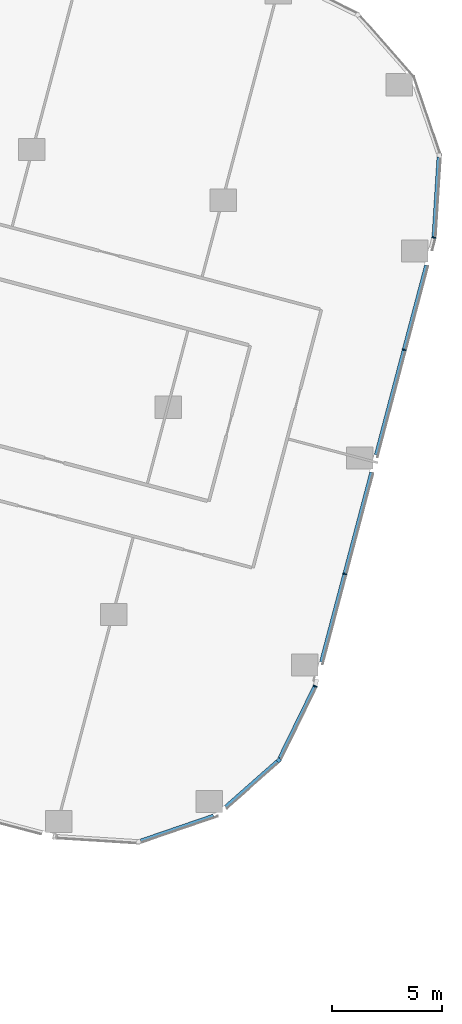
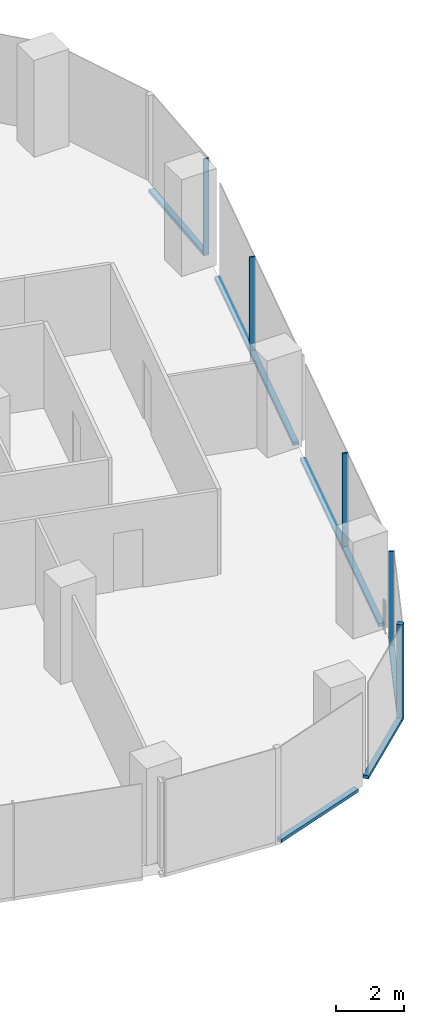
# One storey, part 10 of 34: 11 members, 5 elements without a shape of their own.
"""IFC4 building model written with IfcOpenShell, lengths in metres."""

from ifc_helpers import new_model, si_unit, direction, frame, origin, origin_2d, place, context, subcontext, project, spatial, rectangle, extrude, material, material_profile, profile_set, type_object, element, aggregate, save


model = new_model("IFC4")

# Units and contexts
model_context = context("Model", 3, precision=1e-05, world=origin(), true_north=direction((0.0, 1.0)))
body_context = subcontext(model_context, "Body", "Model", "MODEL_VIEW")
ifc_project = project(units=[si_unit("LENGTHUNIT", "METRE"), si_unit("AREAUNIT", "SQUARE_METRE"), si_unit("VOLUMEUNIT", "CUBIC_METRE"), si_unit("PLANEANGLEUNIT", "RADIAN"), si_unit("MASSUNIT", "GRAM", prefix="KILO")], contexts=[model_context])

# Site, building, storey
site_placement = place(None, origin())
site = spatial("IfcSite", under=ifc_project, at=site_placement, CompositionType="ELEMENT")
building_placement = place(site_placement, origin())
building = spatial("IfcBuilding", under=site, at=building_placement, Name="Orlundy Tower", CompositionType="ELEMENT")
storey_placement = place(building_placement, frame((0.0, 0.0, 105.699951171875)))
storey = spatial("IfcBuildingStorey", under=building, at=storey_placement, Name="L26", CompositionType="ELEMENT", Elevation=105.699951171875)

# Curtain wall, member
ifc_material_1 = material(Name="Aluminium bronze anodised", Category="aluminium")
curtain_wall_type = type_object("IfcCurtainWallType", Name="CW1 wall", PredefinedType="NOTDEFINED", material=ifc_material_1)
curtain_wall_1_placement = place(storey_placement, origin())
curtain_wall_1 = element("IfcCurtainWall", 1, at=curtain_wall_1_placement, inside=storey, type_object=curtain_wall_type, Name="CW1 run 025", PredefinedType="NOTDEFINED")
ifc_material_2 = material(Name="Aluminium bronze anodised", Category="aluminium")
ifc_material_profile_1 = material_profile(ifc_material_2, rectangle(XDim=0.179931640625, YDim=0.179931640625, at=origin_2d()), Name="CW1 corner post 180x180")
ifc_profile_set_1 = profile_set([ifc_material_profile_1], Name="Aluminium bronze anodised")
member_type_1 = type_object("IfcMemberType", Name="CW1 corner post 180x180", PredefinedType="MULLION", material=ifc_profile_set_1)
member_1_placement = place(storey_placement, frame((54.239013671875, -29.023681640625, -0.39990234375), z_axis=(0.0, 0.0, 1.0), x_axis=(0.661478866824, -0.749963804957, 0.0)))
member_1 = element("IfcMember", 2, at=member_1_placement, type_object=member_type_1, Name="CW1 mullion 66", PredefinedType="MULLION", context=body_context, shape_type="SweptSolid", body=[
    extrude(rectangle(XDim=0.179931640625, YDim=0.179931640625, at=origin_2d()), origin(), (0.0, 0.0, 1.0), 3.5),
])

# Curtain wall, members
curtain_wall_2_placement = place(storey_placement, origin())
curtain_wall_2 = element("IfcCurtainWall", 3, at=curtain_wall_2_placement, inside=storey, type_object=curtain_wall_type, Name="CW1 run 023", PredefinedType="NOTDEFINED")
ifc_material_3 = material(Name="Aluminium bronze anodised", Category="aluminium")
ifc_material_profile_2 = material_profile(ifc_material_3, rectangle(XDim=0.179931640625, YDim=0.050048828125, at=origin_2d()), Name="CW1 mullion 50x180")
ifc_profile_set_2 = profile_set([ifc_material_profile_2], Name="Aluminium bronze anodised")
member_type_2 = type_object("IfcMemberType", Name="CW1 mullion 50x180", PredefinedType="MULLION", material=ifc_profile_set_2)
member_2_placement = place(storey_placement, frame((61.26123046875, -5.3525390625, -0.39990234375), z_axis=(0.0, 0.0, 1.0), x_axis=(0.987106713631, -0.160063537088, 0.0)))
member_2 = element("IfcMember", 4, at=member_2_placement, type_object=member_type_2, Name="CW1 mullion 61", PredefinedType="MULLION", context=body_context, shape_type="SweptSolid", body=[
    extrude(rectangle(XDim=0.179931640625, YDim=0.050048828125, at=origin_2d()), origin(), (0.0, 0.0, 1.0), 3.5),
])
member_3_placement = place(storey_placement, frame((59.9150390625, -10.436279296875, -0.39990234375), z_axis=(0.0, 0.0, 1.0), x_axis=(0.966679239296, -0.255990719194, 0.0)))
member_3 = element("IfcMember", 5, at=member_3_placement, type_object=member_type_2, Name="CW1 mullion 62", PredefinedType="MULLION", context=body_context, shape_type="SweptSolid", body=[
    extrude(rectangle(XDim=0.179931640625, YDim=0.050048828125, at=origin_2d()), origin(), (0.0, 0.0, 1.0), 3.5),
])
member_4_placement = place(storey_placement, frame((57.22705078125, -20.586669921875, -0.39990234375), z_axis=(0.0, 0.0, 1.0), x_axis=(0.966679239296, -0.255990719194, 0.0)))
member_4 = element("IfcMember", 6, at=member_4_placement, type_object=member_type_2, Name="CW1 mullion 64", PredefinedType="MULLION", context=body_context, shape_type="SweptSolid", body=[
    extrude(rectangle(XDim=0.179931640625, YDim=0.050048828125, at=origin_2d()), origin(), (0.0, 0.0, 1.0), 3.5),
])

# Curtain wall, member
curtain_wall_3_placement = place(storey_placement, origin())
curtain_wall_3 = element("IfcCurtainWall", 7, at=curtain_wall_3_placement, inside=storey, type_object=curtain_wall_type, Name="CW1 run 024", PredefinedType="NOTDEFINED")
member_5_placement = place(storey_placement, frame((55.880615234375, -25.670654296875, -0.39990234375), z_axis=(0.0, 0.0, 1.0), x_axis=(0.936915365635, -0.349556286795, 0.0)))
member_5 = element("IfcMember", 8, at=member_5_placement, type_object=member_type_2, Name="CW1 mullion 65", PredefinedType="MULLION", context=body_context, shape_type="SweptSolid", body=[
    extrude(rectangle(XDim=0.179931640625, YDim=0.050048828125, at=origin_2d()), origin(), (0.0, 0.0, 1.0), 3.5),
])

curtain_wall_4_placement = place(storey_placement, origin())
curtain_wall_4 = element("IfcCurtainWall", 9, at=curtain_wall_4_placement, inside=storey, type_object=curtain_wall_type, Name="CW1 run 022", PredefinedType="NOTDEFINED")
ifc_material_4 = material(Name="Aluminium bronze anodised", Category="aluminium")
ifc_material_profile_3 = material_profile(ifc_material_4, rectangle(XDim=0.179931640625, YDim=0.1201171875, at=origin_2d()), Name="CW1 transom 180x120")
ifc_profile_set_3 = profile_set([ifc_material_profile_3], Name="Aluminium bronze anodised")
member_type_3 = type_object("IfcMemberType", Name="CW1 transom 180x120", PredefinedType="USERDEFINED", material=ifc_profile_set_3)
member_6_placement = place(storey_placement, frame((61.4892578125, -1.716552734375, -0.33984375), z_axis=(-0.06255473312, -0.998041534889, 0.0), x_axis=(0.998041534889, -0.06255473312, 0.0)))
member_6 = element("IfcMember", 10, at=member_6_placement, type_object=member_type_3, Name="CW1 transom", ObjectType="TRANSOM", PredefinedType="USERDEFINED", context=body_context, shape_type="SweptSolid", body=[
    extrude(rectangle(XDim=0.179931640625, YDim=0.1201171875, at=origin_2d()), origin(), (0.0, 0.0, 1.0), 3.617919921875),
])
aggregate(curtain_wall_4, [member_6])

# Member
member_7_placement = place(storey_placement, frame((60.9287109375, -6.60791015625, -0.33984375), z_axis=(-0.255977891732, -0.966682636104, 0.0), x_axis=(0.966682636104, -0.255977891732, 0.0)))
member_7 = element("IfcMember", 11, at=member_7_placement, type_object=member_type_3, Name="CW1 transom", ObjectType="TRANSOM", PredefinedType="USERDEFINED", context=body_context, shape_type="SweptSolid", body=[
    extrude(rectangle(XDim=0.179931640625, YDim=0.1201171875, at=origin_2d()), origin(), (0.0, 0.0, 1.0), 8.88623046875),
])

member_8_placement = place(storey_placement, frame((58.445556640625, -15.985107421875, -0.33984375), z_axis=(-0.255998288783, -0.966677234727, 0.0), x_axis=(0.966677234727, -0.255998288783, 0.0)))
member_8 = element("IfcMember", 12, at=member_8_placement, type_object=member_type_3, Name="CW1 transom", ObjectType="TRANSOM", PredefinedType="USERDEFINED", context=body_context, shape_type="SweptSolid", body=[
    extrude(rectangle(XDim=0.179931640625, YDim=0.1201171875, at=origin_2d()), origin(), (0.0, 0.0, 1.0), 8.885498046875),
])

aggregate(curtain_wall_2, [member_2, member_3, member_4, member_7, member_8])

member_9_placement = place(storey_placement, frame((55.86962890625, -25.693115234375, -0.33984375), z_axis=(-0.439733905011, -0.898128104885, 0.0), x_axis=(0.898128104885, -0.439733905011, 0.0)))
member_9 = element("IfcMember", 13, at=member_9_placement, type_object=member_type_3, Name="CW1 transom", ObjectType="TRANSOM", PredefinedType="USERDEFINED", context=body_context, shape_type="SweptSolid", body=[
    extrude(rectangle(XDim=0.179931640625, YDim=0.1201171875, at=origin_2d()), origin(), (0.0, 0.0, 1.0), 3.611083984375),
])

aggregate(curtain_wall_3, [member_5, member_9])

member_10_placement = place(storey_placement, frame((54.17138671875, -29.083251953125, -0.33984375), z_axis=(-0.749959050318, -0.661484257444, 0.0), x_axis=(0.661484257444, -0.749959050318, 0.0)))
member_10 = element("IfcMember", 14, at=member_10_placement, type_object=member_type_3, Name="CW1 transom", ObjectType="TRANSOM", PredefinedType="USERDEFINED", context=body_context, shape_type="SweptSolid", body=[
    extrude(rectangle(XDim=0.179931640625, YDim=0.1201171875, at=origin_2d()), origin(), (0.0, 0.0, 1.0), 3.115478515625),
])

aggregate(curtain_wall_1, [member_1, member_10])

# Curtain wall, member
curtain_wall_5_placement = place(storey_placement, origin())
curtain_wall_5 = element("IfcCurtainWall", 15, at=curtain_wall_5_placement, inside=storey, type_object=curtain_wall_type, Name="CW1 run 026", PredefinedType="NOTDEFINED")
member_11_placement = place(storey_placement, frame((51.281494140625, -31.551025390625, -0.33984375), z_axis=(-0.94595208555, -0.324306416594, 0.0), x_axis=(0.324306416594, -0.94595208555, 0.0)))
member_11 = element("IfcMember", 16, at=member_11_placement, type_object=member_type_3, Name="CW1 transom", ObjectType="TRANSOM", PredefinedType="USERDEFINED", context=body_context, shape_type="SweptSolid", body=[
    extrude(rectangle(XDim=0.179931640625, YDim=0.1201171875, at=origin_2d()), origin(), (0.0, 0.0, 1.0), 3.485595703125),
])
aggregate(curtain_wall_5, [member_11])

save(model, "model.ifc")
